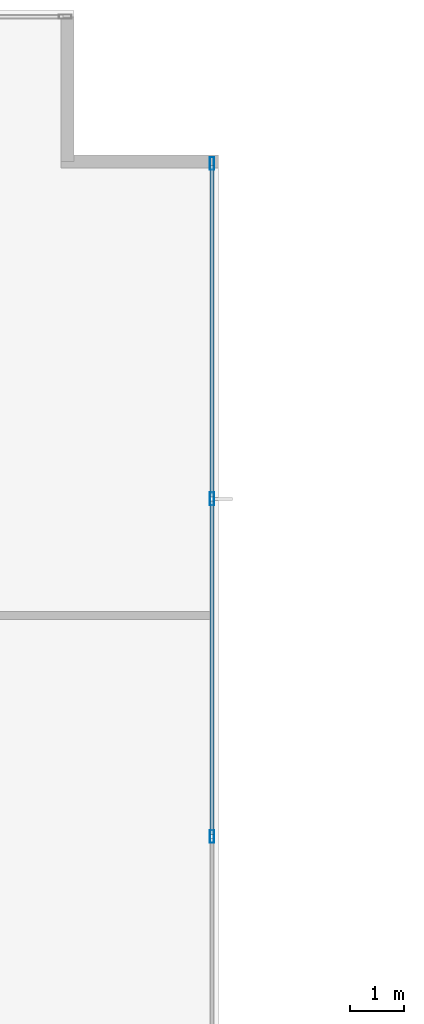
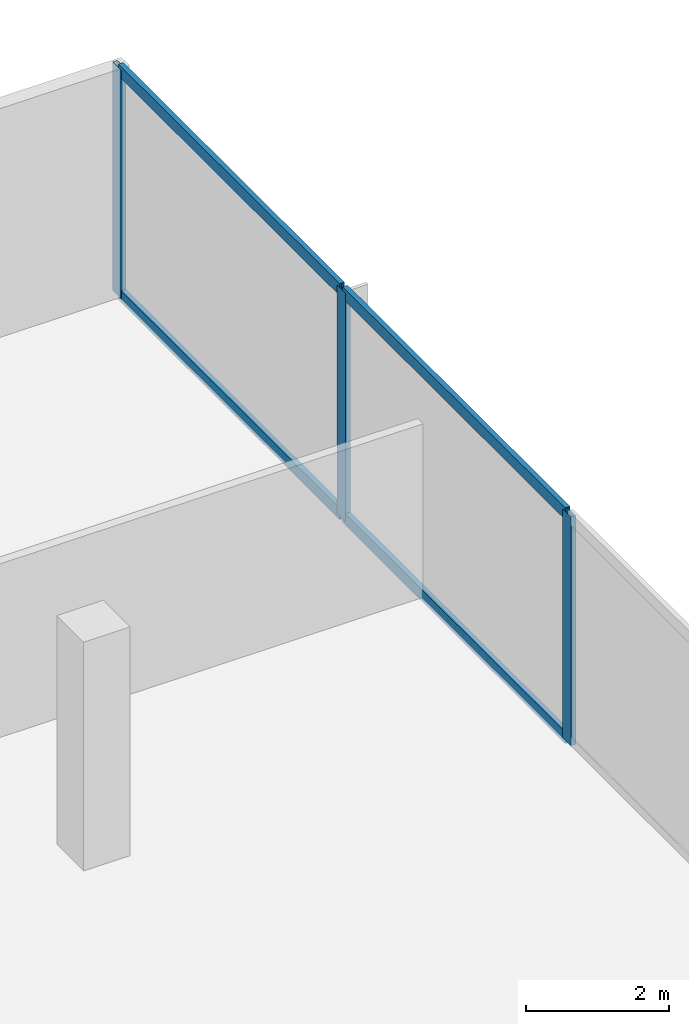
# One storey, part 14 of 32: 7 members, 1 element without a shape of its own.
"""IFC4 building model written with IfcOpenShell, lengths in metres."""

import ifcopenshell
import ifcopenshell.guid

model = None  # the IFC model being written
_history = None  # IfcOwnerHistory: only IFC2X3 demands one
_inside = {}  # id of a spatial element -> (the spatial element, [elements in it])
_under = {}  # id of a project, library or spatial element -> (it, [spatial elements below it])
_declared = {}  # id of a project -> (the project, [libraries it declares])
_typed = {}  # id of a type object -> (the type object, [elements of that type])
_made_of = {}  # id of a material, layer set ... -> (it, [elements and type objects made of it])


def new_model(schema):
    """Start an empty IFC model of exactly this schema.

    Asked for "IFC4X3", IfcOpenShell would pick the latest addendum, in which some entities
    have other attributes; the version numbers below select the first issue.
    IFC2X3 requires an IfcOwnerHistory on every rooted entity: one is made here for all.
    """
    global model, _history
    if schema == "IFC4X3":
        model = ifcopenshell.file(schema_version=(4, 3, 0, 0))
    else:
        model = ifcopenshell.file(schema=schema)
    _inside.clear()
    _under.clear()
    _declared.clear()
    _typed.clear()
    _made_of.clear()
    _history = None
    if model.schema == "IFC2X3":
        org = make("IfcOrganization", Name="unknown")
        user = make(
            "IfcPersonAndOrganization",
            ThePerson=make("IfcPerson", FamilyName="unknown"),
            TheOrganization=org,
        )
        app = make(
            "IfcApplication",
            ApplicationDeveloper=org,
            Version="unknown",
            ApplicationFullName="unknown",
            ApplicationIdentifier="unknown",
        )
        _history = make(
            "IfcOwnerHistory",
            OwningUser=user,
            OwningApplication=app,
            ChangeAction="ADDED",
            CreationDate=0,
        )
    return model


def make(cls, **values):
    """One entity of the class cls with the attributes given. An attribute that is None is left unset."""
    return model.create_entity(
        cls, **{name: value for name, value in values.items() if value is not None}
    )


def rooted(cls, **values):
    """An entity with a GlobalId (a new one), such as an element, a storey or a relation."""
    return make(cls, GlobalId=ifcopenshell.guid.new(), OwnerHistory=_history, **values)


def si_unit(unit_type, name, prefix=None):
    """IfcSIUnit, for example si_unit("LENGTHUNIT", "METRE", prefix="MILLI")."""
    return make("IfcSIUnit", UnitType=unit_type, Prefix=prefix, Name=name)


def assignment(units):
    """IfcUnitAssignment: the units of a project."""
    return None if units is None else make("IfcUnitAssignment", Units=units)


def point(xyz):
    """IfcCartesianPoint."""
    return None if xyz is None else make("IfcCartesianPoint", Coordinates=xyz)


def direction(xyz):
    """IfcDirection."""
    return None if xyz is None else make("IfcDirection", DirectionRatios=xyz)


def frame(location, z_axis=None, x_axis=None):
    """IfcAxis2Placement3D, a coordinate frame: its origin and axes. An axis left out is left unset."""
    return make(
        "IfcAxis2Placement3D",
        Location=point(location),
        Axis=direction(z_axis),
        RefDirection=direction(x_axis),
    )


def frame_2d(location, x_axis=None):
    """IfcAxis2Placement2D, a coordinate frame in the plane: its origin and x axis."""
    return make(
        "IfcAxis2Placement2D", Location=point(location), RefDirection=direction(x_axis)
    )


def origin():
    """The frame at (0, 0, 0) with its axes left unset."""
    return frame((0.0, 0.0, 0.0))


def origin_2d():
    """The frame at (0, 0) in the plane with its x axis left unset."""
    return frame_2d((0.0, 0.0))


def place(relative_to, where):
    """IfcLocalPlacement: puts the frame where relative to a parent placement (None: the world)."""
    return make(
        "IfcLocalPlacement", PlacementRelTo=relative_to, RelativePlacement=where
    )


def context(
    kind, dimensions, precision=None, world=None, true_north=None, identifier=None
):
    """IfcGeometricRepresentationContext, for example the 3D "Model" context."""
    return make(
        "IfcGeometricRepresentationContext",
        ContextIdentifier=identifier,
        ContextType=kind,
        CoordinateSpaceDimension=dimensions,
        Precision=precision,
        WorldCoordinateSystem=world,
        TrueNorth=true_north,
    )


def subcontext(parent, identifier, kind, view, scale=None):
    """IfcGeometricRepresentationSubContext, for example "Body" below "Model"."""
    return make(
        "IfcGeometricRepresentationSubContext",
        ContextIdentifier=identifier,
        ContextType=kind,
        ParentContext=parent,
        TargetScale=scale,
        TargetView=view,
    )


def project(units=None, contexts=None):
    """IfcProject with its units and contexts."""
    return rooted(
        "IfcProject",
        Name="project",
        RepresentationContexts=contexts,
        UnitsInContext=assignment(units),
    )


def spatial(cls, under=None, at=None, **own):
    """A site, building, storey or space (cls), placed at a placement, below another one or the project."""
    s = rooted(cls, ObjectPlacement=at, **own)
    if under is not None:
        _under.setdefault(under.id(), (under, []))[1].append(s)
    return s


def profile(cls, at=None, kind="AREA", **sizes):
    """A parametric profile (cls). Its sizes go by their IFC names, for example OverallWidth=200.0."""
    return make(cls, ProfileType=kind, Position=at, **sizes)


def hollow_rectangle(**sizes):
    """IfcRectangleHollowProfileDef."""
    return profile("IfcRectangleHollowProfileDef", **sizes)


def extrude(swept, where, along, depth):
    """IfcExtrudedAreaSolid: the profile swept, set in the frame where, extruded along a direction by depth."""
    return make(
        "IfcExtrudedAreaSolid",
        SweptArea=swept,
        Position=where,
        ExtrudedDirection=direction(along),
        Depth=depth,
    )


def shape(context_of_items, identifier, shape_type, items):
    """IfcShapeRepresentation: the items that make up one representation, for example the "Body"."""
    return make(
        "IfcShapeRepresentation",
        ContextOfItems=context_of_items,
        RepresentationIdentifier=identifier,
        RepresentationType=shape_type,
        Items=items,
    )


def material(Name=None, Category=None):
    """IfcMaterial."""
    return make("IfcMaterial", Name=Name, Category=Category)


def material_profile(
    of_material, cross_section, Name=None, Category=None, Priority=None
):
    """IfcMaterialProfile: a cross section and its material."""
    return make(
        "IfcMaterialProfile",
        Name=Name,
        Material=of_material,
        Profile=cross_section,
        Priority=Priority,
        Category=Category,
    )


def profile_set(profiles, Name=None, composite=None):
    """IfcMaterialProfileSet."""
    return make(
        "IfcMaterialProfileSet",
        Name=Name,
        MaterialProfiles=profiles,
        CompositeProfile=composite,
    )


def made_of(thing, what):
    """Note that an element or type object is made of a material, layer set ...; save() writes the relation."""
    if what is not None:
        _made_of.setdefault(what.id(), (what, []))[1].append(thing)
    return thing


def type_object(cls, material=None, **own):
    """A type object (cls), such as IfcWallType, which elements share."""
    return made_of(rooted(cls, **own), material)


def element(
    cls,
    number,
    at=None,
    inside=None,
    cuts=None,
    type_object=None,
    material=None,
    context=None,
    identifier="Body",
    shape_type=None,
    held_by="IfcProductDefinitionShape",
    body=None,
    shapes=None,
    **own,
):
    """One element of the class cls, such as IfcWall. Its Tag is "e" and its number.

    at: its placement. inside: the storey or other place that contains it. cuts: it is an
    opening in that element (IfcRelVoidsElement). A single representation is given by context,
    identifier, shape_type and body (its items); several are given by shapes. held_by: the class
    of the entity that holds the representations. save() writes the other relations.
    """
    e = rooted(cls, Tag="e%d" % number, ObjectPlacement=at, **own)
    if body is not None:
        shapes = [shape(context, identifier, shape_type, body)]
    if shapes is not None:
        e.Representation = make(held_by, Representations=shapes)
    if inside is not None:
        _inside.setdefault(inside.id(), (inside, []))[1].append(e)
    if cuts is not None:
        rooted(
            "IfcRelVoidsElement", RelatingBuildingElement=cuts, RelatedOpeningElement=e
        )
    if type_object is not None:
        _typed.setdefault(type_object.id(), (type_object, []))[1].append(e)
    return made_of(e, material)


def aggregate(whole, parts):
    """IfcRelAggregates: a whole, such as a stair, and the parts it consists of."""
    return rooted("IfcRelAggregates", RelatingObject=whole, RelatedObjects=parts)


def save(model, path):
    """Write the relations noted so far, then the file.

    IfcRelAggregates (storeys below a building ...), IfcRelContainedInSpatialStructure (elements
    in a storey), IfcRelDefinesByType, IfcRelAssociatesMaterial and IfcRelDeclares: one each for
    every whole, place, type object, material and project.
    """
    for whole, parts in _under.values():
        aggregate(whole, parts)
    for where, things in _inside.values():
        rooted(
            "IfcRelContainedInSpatialStructure",
            RelatedElements=things,
            RelatingStructure=where,
        )
    for kind, things in _typed.values():
        rooted("IfcRelDefinesByType", RelatedObjects=things, RelatingType=kind)
    for what, things in _made_of.values():
        rooted("IfcRelAssociatesMaterial", RelatedObjects=things, RelatingMaterial=what)
    for by, libraries in _declared.values():
        rooted("IfcRelDeclares", RelatingContext=by, RelatedDefinitions=libraries)
    model.write(path)


model = new_model("IFC4")

# Units and contexts
model_context = context("Model", 3, precision=1e-05, world=origin(), true_north=direction((0.0, 1.0)))
body_context = subcontext(model_context, "Body", "Model", "MODEL_VIEW")
ifc_project = project(units=[si_unit("LENGTHUNIT", "METRE"), si_unit("AREAUNIT", "SQUARE_METRE"), si_unit("VOLUMEUNIT", "CUBIC_METRE"), si_unit("PLANEANGLEUNIT", "RADIAN"), si_unit("MASSUNIT", "GRAM", prefix="KILO")], contexts=[model_context])

# Site, building, storey
site_placement = place(None, origin())
site = spatial("IfcSite", under=ifc_project, at=site_placement, CompositionType="ELEMENT")
building_placement = place(site_placement, origin())
building = spatial("IfcBuilding", under=site, at=building_placement, Name="Cobrela Telecom Tower", CompositionType="ELEMENT")
storey_placement = place(building_placement, frame((0.0, 0.0, 22.050048828125)))
storey = spatial("IfcBuildingStorey", under=building, at=storey_placement, Name="L05", CompositionType="ELEMENT", Elevation=22.050048828125)

# Curtain wall, members
ifc_material = material(Name="Anodized Bronze Aluminium 6063-T6", Category="aluminium")
curtain_wall_type = type_object("IfcCurtainWallType", Name="CW-SYS-CONC", PredefinedType="USERDEFINED", material=ifc_material)
curtain_wall_placement = place(storey_placement, origin())
curtain_wall = element("IfcCurtainWall", 1, at=curtain_wall_placement, inside=storey, type_object=curtain_wall_type, Name="L05 Unitised Bronze Curtain Wall 10", ObjectType="UNITISED CURTAIN WALL", PredefinedType="USERDEFINED")
ifc_material_profile_1 = material_profile(ifc_material, hollow_rectangle(XDim=0.080078125, YDim=0.239990234375, WallThickness=0.0048828125, at=origin_2d()), Name="ALU 80x240x5")
ifc_profile_set_1 = profile_set([ifc_material_profile_1], Name="Anodized Bronze Aluminium 6063-T6")
member_type_1 = type_object("IfcMemberType", Name="CW-SYS-CONC-MUL", PredefinedType="MULLION", material=ifc_profile_set_1)
member_1_placement = place(storey_placement, frame((50.280029296875, 47.5400390625, 0.0), z_axis=(0.0, 0.0, 1.0), x_axis=(1.0, 0.0, 0.0)))
member_1 = element("IfcMember", 2, at=member_1_placement, type_object=member_type_1, Name="CW-CONC mullion 1", PredefinedType="MULLION", context=body_context, shape_type="SweptSolid", body=[
    extrude(hollow_rectangle(XDim=0.080078125, YDim=0.239990234375, WallThickness=0.0048828125, at=origin_2d()), origin(), (0.0, 0.0, 1.0), 3.89990234375),
])
member_2_placement = place(storey_placement, frame((50.280029296875, 41.280029296875, 0.0), z_axis=(0.0, 0.0, 1.0), x_axis=(1.0, 0.0, 0.0)))
member_2 = element("IfcMember", 3, at=member_2_placement, type_object=member_type_1, Name="CW-CONC mullion 2", PredefinedType="MULLION", context=body_context, shape_type="SweptSolid", body=[
    extrude(hollow_rectangle(XDim=0.080078125, YDim=0.239990234375, WallThickness=0.0048828125, at=origin_2d()), origin(), (0.0, 0.0, 1.0), 3.89990234375),
])
member_3_placement = place(storey_placement, frame((50.280029296875, 34.97998046875, 0.0), z_axis=(0.0, 0.0, 1.0), x_axis=(1.0, 0.0, 0.0)))
member_3 = element("IfcMember", 4, at=member_3_placement, type_object=member_type_1, Name="CW-CONC mullion 3", PredefinedType="MULLION", context=body_context, shape_type="SweptSolid", body=[
    extrude(hollow_rectangle(XDim=0.080078125, YDim=0.239990234375, WallThickness=0.0048828125, at=origin_2d()), origin(), (0.0, 0.0, 1.0), 3.89990234375),
])
ifc_material_profile_2 = material_profile(ifc_material, hollow_rectangle(XDim=0.080078125, YDim=0.199951171875, WallThickness=0.00390625, at=origin_2d()), Name="ALU 80x200x4")
ifc_profile_set_2 = profile_set([ifc_material_profile_2], Name="Anodized Bronze Aluminium 6063-T6")
member_type_2 = type_object("IfcMemberType", Name="CW-SYS-CONC-TRN", PredefinedType="USERDEFINED", material=ifc_profile_set_2)
member_4_placement = place(storey_placement, frame((50.280029296875, 47.5, 0.0400390625), z_axis=(0.0, -1.0, 0.0), x_axis=(1.0, 0.0, 0.0)))
member_4 = element("IfcMember", 5, at=member_4_placement, type_object=member_type_2, Name="CW-CONC transom 1.1", ObjectType="TRANSOM", PredefinedType="USERDEFINED", context=body_context, shape_type="SweptSolid", body=[
    extrude(hollow_rectangle(XDim=0.080078125, YDim=0.199951171875, WallThickness=0.00390625, at=origin_2d()), origin(), (0.0, 0.0, 1.0), 6.179931640625),
])
member_5_placement = place(storey_placement, frame((50.280029296875, 47.5, 3.85986328125), z_axis=(0.0, -1.0, 0.0), x_axis=(1.0, 0.0, 0.0)))
member_5 = element("IfcMember", 6, at=member_5_placement, type_object=member_type_2, Name="CW-CONC transom 1.2", ObjectType="TRANSOM", PredefinedType="USERDEFINED", context=body_context, shape_type="SweptSolid", body=[
    extrude(hollow_rectangle(XDim=0.080078125, YDim=0.199951171875, WallThickness=0.00390625, at=origin_2d()), origin(), (0.0, 0.0, 1.0), 6.179931640625),
])
member_6_placement = place(storey_placement, frame((50.280029296875, 41.239990234375, 0.0400390625), z_axis=(0.0, -1.0, 0.0), x_axis=(1.0, 0.0, 0.0)))
member_6 = element("IfcMember", 7, at=member_6_placement, type_object=member_type_2, Name="CW-CONC transom 2.1", ObjectType="TRANSOM", PredefinedType="USERDEFINED", context=body_context, shape_type="SweptSolid", body=[
    extrude(hollow_rectangle(XDim=0.080078125, YDim=0.199951171875, WallThickness=0.00390625, at=origin_2d()), origin(), (0.0, 0.0, 1.0), 6.219970703125),
])
member_7_placement = place(storey_placement, frame((50.280029296875, 41.239990234375, 3.85986328125), z_axis=(0.0, -1.0, 0.0), x_axis=(1.0, 0.0, 0.0)))
member_7 = element("IfcMember", 8, at=member_7_placement, type_object=member_type_2, Name="CW-CONC transom 2.2", ObjectType="TRANSOM", PredefinedType="USERDEFINED", context=body_context, shape_type="SweptSolid", body=[
    extrude(hollow_rectangle(XDim=0.080078125, YDim=0.199951171875, WallThickness=0.00390625, at=origin_2d()), origin(), (0.0, 0.0, 1.0), 6.219970703125),
])
aggregate(curtain_wall, [member_1, member_2, member_3, member_4, member_5, member_6, member_7])

save(model, "model.ifc")
